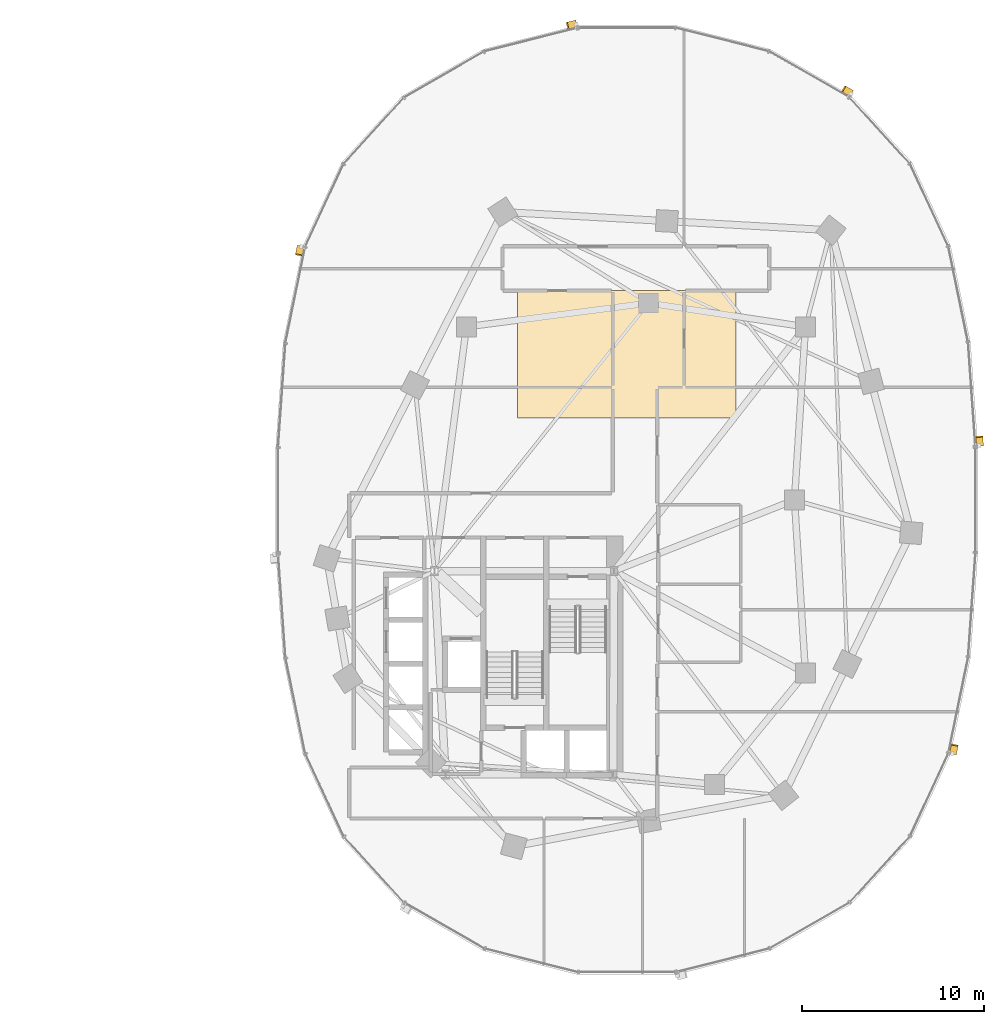
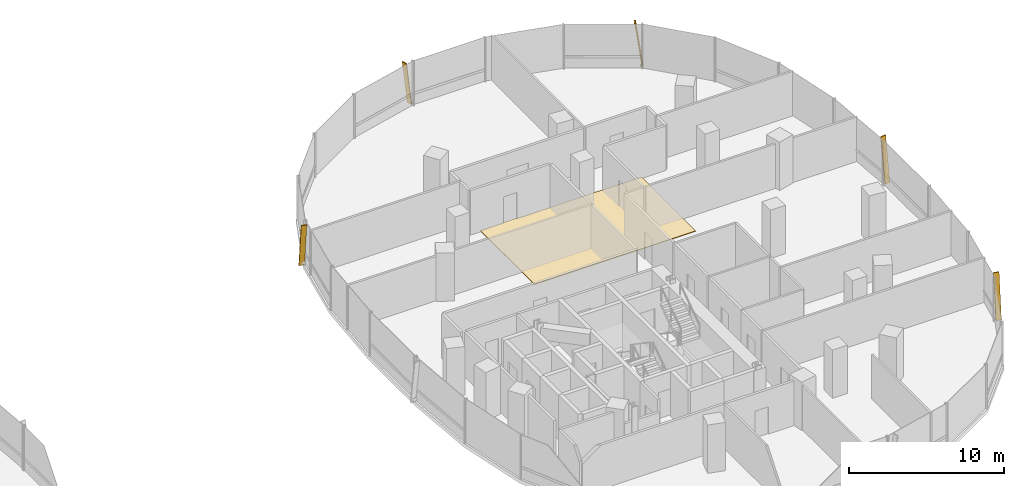
# One storey, part 22 of 22: 5 shading devices, 1 covering.
"""IFC4 building model written with IfcOpenShell, lengths in metres."""

import ifcopenshell
import ifcopenshell.guid

model = None  # the IFC model being written
_history = None  # IfcOwnerHistory: only IFC2X3 demands one
_inside = {}  # id of a spatial element -> (the spatial element, [elements in it])
_under = {}  # id of a project, library or spatial element -> (it, [spatial elements below it])
_declared = {}  # id of a project -> (the project, [libraries it declares])
_typed = {}  # id of a type object -> (the type object, [elements of that type])
_made_of = {}  # id of a material, layer set ... -> (it, [elements and type objects made of it])


def new_model(schema):
    """Start an empty IFC model of exactly this schema.

    Asked for "IFC4X3", IfcOpenShell would pick the latest addendum, in which some entities
    have other attributes; the version numbers below select the first issue.
    IFC2X3 requires an IfcOwnerHistory on every rooted entity: one is made here for all.
    """
    global model, _history
    if schema == "IFC4X3":
        model = ifcopenshell.file(schema_version=(4, 3, 0, 0))
    else:
        model = ifcopenshell.file(schema=schema)
    _inside.clear()
    _under.clear()
    _declared.clear()
    _typed.clear()
    _made_of.clear()
    _history = None
    if model.schema == "IFC2X3":
        org = make("IfcOrganization", Name="unknown")
        user = make(
            "IfcPersonAndOrganization",
            ThePerson=make("IfcPerson", FamilyName="unknown"),
            TheOrganization=org,
        )
        app = make(
            "IfcApplication",
            ApplicationDeveloper=org,
            Version="unknown",
            ApplicationFullName="unknown",
            ApplicationIdentifier="unknown",
        )
        _history = make(
            "IfcOwnerHistory",
            OwningUser=user,
            OwningApplication=app,
            ChangeAction="ADDED",
            CreationDate=0,
        )
    return model


def make(cls, **values):
    """One entity of the class cls with the attributes given. An attribute that is None is left unset."""
    return model.create_entity(
        cls, **{name: value for name, value in values.items() if value is not None}
    )


def rooted(cls, **values):
    """An entity with a GlobalId (a new one), such as an element, a storey or a relation."""
    return make(cls, GlobalId=ifcopenshell.guid.new(), OwnerHistory=_history, **values)


def si_unit(unit_type, name, prefix=None):
    """IfcSIUnit, for example si_unit("LENGTHUNIT", "METRE", prefix="MILLI")."""
    return make("IfcSIUnit", UnitType=unit_type, Prefix=prefix, Name=name)


def assignment(units):
    """IfcUnitAssignment: the units of a project."""
    return None if units is None else make("IfcUnitAssignment", Units=units)


def point(xyz):
    """IfcCartesianPoint."""
    return None if xyz is None else make("IfcCartesianPoint", Coordinates=xyz)


def direction(xyz):
    """IfcDirection."""
    return None if xyz is None else make("IfcDirection", DirectionRatios=xyz)


def frame(location, z_axis=None, x_axis=None):
    """IfcAxis2Placement3D, a coordinate frame: its origin and axes. An axis left out is left unset."""
    return make(
        "IfcAxis2Placement3D",
        Location=point(location),
        Axis=direction(z_axis),
        RefDirection=direction(x_axis),
    )


def frame_2d(location, x_axis=None):
    """IfcAxis2Placement2D, a coordinate frame in the plane: its origin and x axis."""
    return make(
        "IfcAxis2Placement2D", Location=point(location), RefDirection=direction(x_axis)
    )


def origin():
    """The frame at (0, 0, 0) with its axes left unset."""
    return frame((0.0, 0.0, 0.0))


def origin_2d():
    """The frame at (0, 0) in the plane with its x axis left unset."""
    return frame_2d((0.0, 0.0))


def place(relative_to, where):
    """IfcLocalPlacement: puts the frame where relative to a parent placement (None: the world)."""
    return make(
        "IfcLocalPlacement", PlacementRelTo=relative_to, RelativePlacement=where
    )


def context(
    kind, dimensions, precision=None, world=None, true_north=None, identifier=None
):
    """IfcGeometricRepresentationContext, for example the 3D "Model" context."""
    return make(
        "IfcGeometricRepresentationContext",
        ContextIdentifier=identifier,
        ContextType=kind,
        CoordinateSpaceDimension=dimensions,
        Precision=precision,
        WorldCoordinateSystem=world,
        TrueNorth=true_north,
    )


def subcontext(parent, identifier, kind, view, scale=None):
    """IfcGeometricRepresentationSubContext, for example "Body" below "Model"."""
    return make(
        "IfcGeometricRepresentationSubContext",
        ContextIdentifier=identifier,
        ContextType=kind,
        ParentContext=parent,
        TargetScale=scale,
        TargetView=view,
    )


def project(units=None, contexts=None):
    """IfcProject with its units and contexts."""
    return rooted(
        "IfcProject",
        Name="project",
        RepresentationContexts=contexts,
        UnitsInContext=assignment(units),
    )


def spatial(cls, under=None, at=None, **own):
    """A site, building, storey or space (cls), placed at a placement, below another one or the project."""
    s = rooted(cls, ObjectPlacement=at, **own)
    if under is not None:
        _under.setdefault(under.id(), (under, []))[1].append(s)
    return s


def polyline(points):
    """IfcPolyline through the points."""
    return make("IfcPolyline", Points=[point(p) for p in points])


def profile(cls, at=None, kind="AREA", **sizes):
    """A parametric profile (cls). Its sizes go by their IFC names, for example OverallWidth=200.0."""
    return make(cls, ProfileType=kind, Position=at, **sizes)


def rectangle(**sizes):
    """IfcRectangleProfileDef."""
    return profile("IfcRectangleProfileDef", **sizes)


def outline(outer, holes=None, kind="AREA"):
    """IfcArbitraryClosedProfileDef: a profile drawn as a closed curve; with holes, ...WithVoids."""
    if holes is None:
        return make("IfcArbitraryClosedProfileDef", ProfileType=kind, OuterCurve=outer)
    return make(
        "IfcArbitraryProfileDefWithVoids",
        ProfileType=kind,
        OuterCurve=outer,
        InnerCurves=holes,
    )


def extrude(swept, where, along, depth):
    """IfcExtrudedAreaSolid: the profile swept, set in the frame where, extruded along a direction by depth."""
    return make(
        "IfcExtrudedAreaSolid",
        SweptArea=swept,
        Position=where,
        ExtrudedDirection=direction(along),
        Depth=depth,
    )


def shape(context_of_items, identifier, shape_type, items):
    """IfcShapeRepresentation: the items that make up one representation, for example the "Body"."""
    return make(
        "IfcShapeRepresentation",
        ContextOfItems=context_of_items,
        RepresentationIdentifier=identifier,
        RepresentationType=shape_type,
        Items=items,
    )


def material(Name=None, Category=None):
    """IfcMaterial."""
    return make("IfcMaterial", Name=Name, Category=Category)


def layer(
    of_material, thickness, ventilated=None, Name=None, Category=None, Priority=None
):
    """IfcMaterialLayer: one layer of a wall or slab, of a material (None: an air gap)."""
    return make(
        "IfcMaterialLayer",
        Material=of_material,
        LayerThickness=thickness,
        IsVentilated=ventilated,
        Name=Name,
        Category=Category,
        Priority=Priority,
    )


def layer_set(layers, Name=None):
    """IfcMaterialLayerSet."""
    return make("IfcMaterialLayerSet", MaterialLayers=layers, LayerSetName=Name)


def material_profile(
    of_material, cross_section, Name=None, Category=None, Priority=None
):
    """IfcMaterialProfile: a cross section and its material."""
    return make(
        "IfcMaterialProfile",
        Name=Name,
        Material=of_material,
        Profile=cross_section,
        Priority=Priority,
        Category=Category,
    )


def profile_set(profiles, Name=None, composite=None):
    """IfcMaterialProfileSet."""
    return make(
        "IfcMaterialProfileSet",
        Name=Name,
        MaterialProfiles=profiles,
        CompositeProfile=composite,
    )


def made_of(thing, what):
    """Note that an element or type object is made of a material, layer set ...; save() writes the relation."""
    if what is not None:
        _made_of.setdefault(what.id(), (what, []))[1].append(thing)
    return thing


def type_object(cls, material=None, **own):
    """A type object (cls), such as IfcWallType, which elements share."""
    return made_of(rooted(cls, **own), material)


def element(
    cls,
    number,
    at=None,
    inside=None,
    cuts=None,
    type_object=None,
    material=None,
    context=None,
    identifier="Body",
    shape_type=None,
    held_by="IfcProductDefinitionShape",
    body=None,
    shapes=None,
    **own,
):
    """One element of the class cls, such as IfcWall. Its Tag is "e" and its number.

    at: its placement. inside: the storey or other place that contains it. cuts: it is an
    opening in that element (IfcRelVoidsElement). A single representation is given by context,
    identifier, shape_type and body (its items); several are given by shapes. held_by: the class
    of the entity that holds the representations. save() writes the other relations.
    """
    e = rooted(cls, Tag="e%d" % number, ObjectPlacement=at, **own)
    if body is not None:
        shapes = [shape(context, identifier, shape_type, body)]
    if shapes is not None:
        e.Representation = make(held_by, Representations=shapes)
    if inside is not None:
        _inside.setdefault(inside.id(), (inside, []))[1].append(e)
    if cuts is not None:
        rooted(
            "IfcRelVoidsElement", RelatingBuildingElement=cuts, RelatedOpeningElement=e
        )
    if type_object is not None:
        _typed.setdefault(type_object.id(), (type_object, []))[1].append(e)
    return made_of(e, material)


def aggregate(whole, parts):
    """IfcRelAggregates: a whole, such as a stair, and the parts it consists of."""
    return rooted("IfcRelAggregates", RelatingObject=whole, RelatedObjects=parts)


def save(model, path):
    """Write the relations noted so far, then the file.

    IfcRelAggregates (storeys below a building ...), IfcRelContainedInSpatialStructure (elements
    in a storey), IfcRelDefinesByType, IfcRelAssociatesMaterial and IfcRelDeclares: one each for
    every whole, place, type object, material and project.
    """
    for whole, parts in _under.values():
        aggregate(whole, parts)
    for where, things in _inside.values():
        rooted(
            "IfcRelContainedInSpatialStructure",
            RelatedElements=things,
            RelatingStructure=where,
        )
    for kind, things in _typed.values():
        rooted("IfcRelDefinesByType", RelatedObjects=things, RelatingType=kind)
    for what, things in _made_of.values():
        rooted("IfcRelAssociatesMaterial", RelatedObjects=things, RelatingMaterial=what)
    for by, libraries in _declared.values():
        rooted("IfcRelDeclares", RelatingContext=by, RelatedDefinitions=libraries)
    model.write(path)


model = new_model("IFC4")

# Units and contexts
model_context = context("Model", 3, precision=1e-05, world=origin(), true_north=direction((0.0, 1.0)))
body_context = subcontext(model_context, "Body", "Model", "MODEL_VIEW")
ifc_project = project(units=[si_unit("LENGTHUNIT", "METRE"), si_unit("AREAUNIT", "SQUARE_METRE"), si_unit("VOLUMEUNIT", "CUBIC_METRE"), si_unit("PLANEANGLEUNIT", "RADIAN"), si_unit("MASSUNIT", "GRAM", prefix="KILO"), si_unit("THERMODYNAMICTEMPERATUREUNIT", "KELVIN"), si_unit("POWERUNIT", "WATT")], contexts=[model_context])

# Site, building, storey
site_placement = place(None, origin())
site = spatial("IfcSite", under=ifc_project, at=site_placement, CompositionType="ELEMENT")
building_placement = place(site_placement, origin())
building = spatial("IfcBuilding", under=site, at=building_placement, Name="Cundina Bronze Exchange", CompositionType="ELEMENT")
storey_placement = place(building_placement, frame((0.0, 0.0, 35.39990234375)))
storey = spatial("IfcBuildingStorey", under=building, at=storey_placement, Name="L08", CompositionType="ELEMENT", Elevation=35.39990234375)

# Covering
ifc_material_1 = material(Name="Raised Access Steel-Cementitious Floor Panel 40mm", Category="steel")
ifc_layer = layer(ifc_material_1, 0.0400390625, Name="Raised Access Steel-Cementitious Floor Panel 40mm", Category="steel")
ifc_layer_set = layer_set([ifc_layer], Name="Raised Access Steel-Cementitious Floor Panel 40mm")
covering_type = type_object("IfcCoveringType", Name="COV-FLR-RAF40", PredefinedType="FLOORING", material=ifc_layer_set)
covering_placement = place(storey_placement, origin())
element("IfcCovering", 1, at=covering_placement, inside=storey, type_object=covering_type, Name="L08 E UFAD Raised Access Trading Floor", PredefinedType="FLOORING", context=body_context, shape_type="SweptSolid", body=[
    extrude(outline(polyline([(26.0, 4.5), (38.0, 4.5), (38.0, 11.5), (26.0, 11.5), (26.0, 4.5)])), origin(), (0.0, 0.0, 1.0), 0.0400390625),
])

# Shading devices
ifc_material_2 = material(Name="Anodised Bronze Aluminium 6063-T6", Category="aluminium")
ifc_material_profile = material_profile(ifc_material_2, rectangle(XDim=0.070068359375, YDim=0.3798828125, at=origin_2d()), Name="FIN70X380", Category="aluminium")
ifc_profile_set = profile_set([ifc_material_profile], Name="Anodised Bronze Aluminium 6063-T6")
shading_device_type = type_object("IfcShadingDeviceType", Name="SHD-FIN-BRZ380", PredefinedType="USERDEFINED", material=ifc_profile_set)
for number, where, z_axis, x_axis, name in (
    (2, (51.3740234375, 2.993896484375, 0.02001953125), (-0.009645159174, 0.137059109714, 0.990515911709), (0.06953288269, -0.988072340253, 0.137398066402), "L08 Diagonal Bronze Solar Fin 1"),
    (3, (44.314208984375, 22.314208984375, 0.02001953125), (-0.119166378275, 0.06842456559, 0.990513731915), (0.85898178632, -0.493221799887, 0.137413779831), "L08 Diagonal Bronze Solar Fin 5"),
    (4, (29.212646484375, 26.138427734375, 0.02001953125), (-0.133214830938, -0.033688115694, 0.990514472221), (0.960284642503, 0.242842181368, 0.137408443412), "L08 Diagonal Bronze Solar Fin 1"),
    (5, (14.10400390625, 13.911865234375, 0.02001953125), (-0.027747134956, -0.134612045151, 0.990509815096), (0.199966585563, 0.970114971774, 0.137442010309), "L08 Diagonal Bronze Solar Fin 5"),
    (6, (49.89599609375, -13.911865234375, 0.02001953125), (0.027747134956, 0.134612045151, 0.990509815096), (-0.199966585563, -0.970114971774, 0.137442010309), "L08 Diagonal Bronze Solar Fin 5"),
):
    element("IfcShadingDevice", number, at=place(storey_placement, frame(where, z_axis=z_axis, x_axis=x_axis)), inside=storey, type_object=shading_device_type, Name=name, ObjectType="FIN", PredefinedType="USERDEFINED", context=body_context, shape_type="SweptSolid", body=[
        extrude(rectangle(XDim=0.070068359375, YDim=0.3798828125, at=origin_2d()), origin(), (0.0, 0.0, 1.0), 3.4931640625),
    ])

save(model, "model.ifc")
